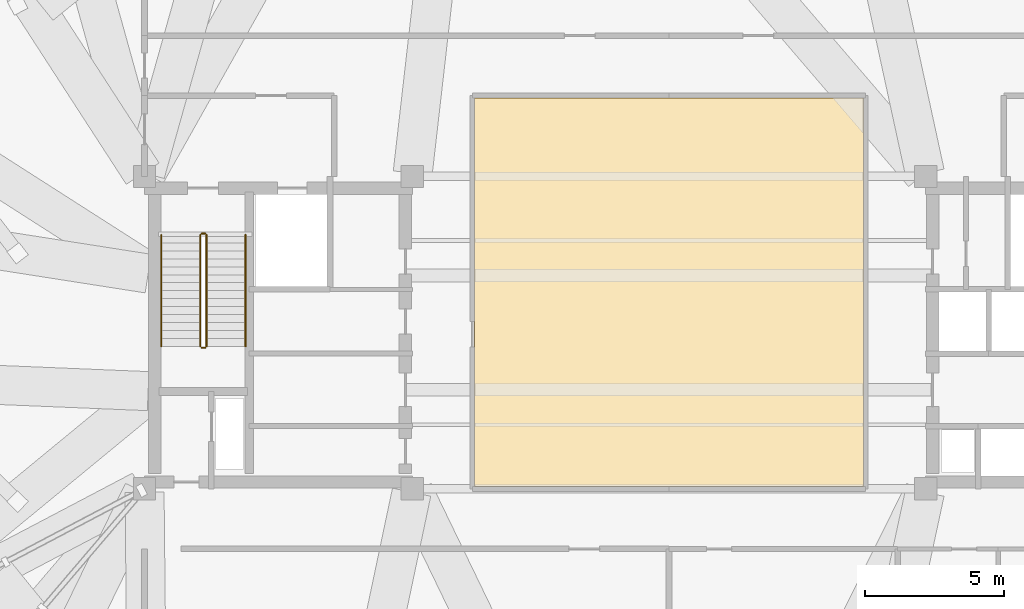
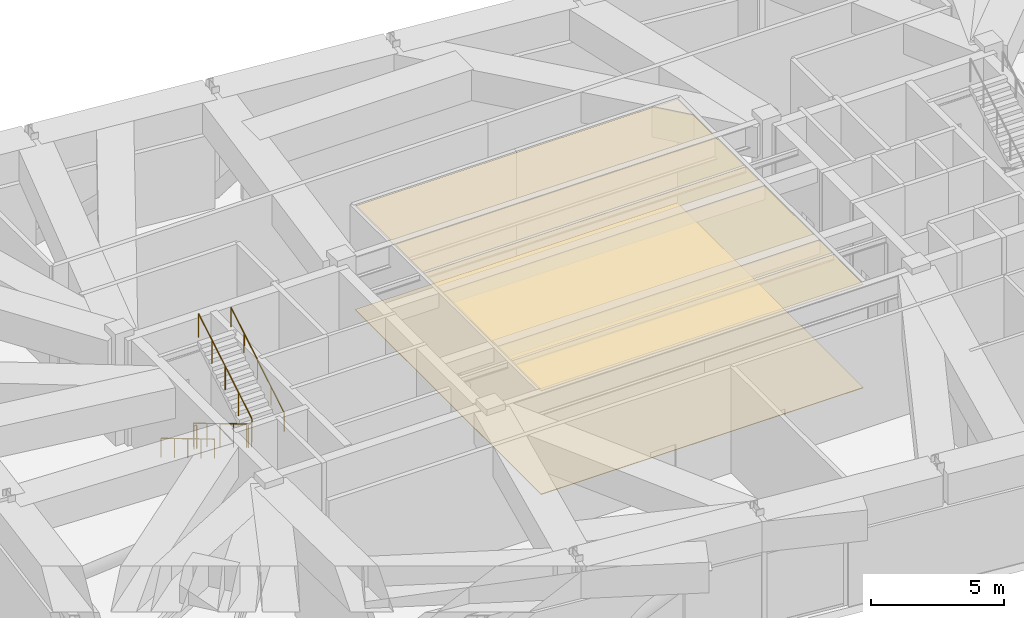
# One storey, part 20 of 21: 6 railings, 2 coverings.
"""IFC4 building model written with IfcOpenShell, lengths in metres."""

from ifc_helpers import new_model, si_unit, direction, frame, origin, origin_2d, place, context, subcontext, project, spatial, polyline, circle, outline, extrude, material, layer, layer_set, type_object, element, save


model = new_model("IFC4")

# Units and contexts
model_context = context("Model", 3, precision=1e-05, world=origin(), true_north=direction((0.0, 1.0)))
body_context = subcontext(model_context, "Body", "Model", "MODEL_VIEW")
ifc_project = project(units=[si_unit("LENGTHUNIT", "METRE"), si_unit("AREAUNIT", "SQUARE_METRE"), si_unit("VOLUMEUNIT", "CUBIC_METRE"), si_unit("PLANEANGLEUNIT", "RADIAN"), si_unit("MASSUNIT", "GRAM", prefix="KILO")], contexts=[model_context])

# Site, building, storey
site_placement = place(None, origin())
site = spatial("IfcSite", under=ifc_project, at=site_placement, CompositionType="ELEMENT")
building_placement = place(site_placement, origin())
building = spatial("IfcBuilding", under=site, at=building_placement, Name="Qobustan Lattice House", CompositionType="ELEMENT")
storey_placement = place(building_placement, frame((0.0, 0.0, 223.199951171875)))
storey = spatial("IfcBuildingStorey", under=building, at=storey_placement, Name="L63", CompositionType="ELEMENT", Elevation=223.199951171875)

# Coverings
ifc_material_1 = material(Name="Perforated gypsum acoustic ceiling", Category="gypsum")
ifc_layer_1 = layer(ifc_material_1, 0.030029296875)
ifc_layer_set_1 = layer_set([ifc_layer_1], Name="Perforated gypsum acoustic ceiling")
covering_type_1 = type_object("IfcCoveringType", Name="COV-ACOUSTIC-CEIL", PredefinedType="CEILING", material=ifc_layer_set_1)
covering_1_placement = place(storey_placement, frame((0.0, 0.0, 4.72998046875)))
element("IfcCovering", 1, at=covering_1_placement, inside=storey, type_object=covering_type_1, Name="L63 High-rise transfer sky lobby acoustic ceiling", PredefinedType="CEILING", context=body_context, shape_type="SweptSolid", body=[
    extrude(outline(polyline([(6.969970703125, -5.52001953125), (6.969970703125, 8.419921875), (-6.969970703125, 8.419921875), (-6.969970703125, -5.52001953125), (6.969970703125, -5.52001953125)])), origin(), (0.0, 0.0, 1.0), 0.030029296875),
])
ifc_material_2 = material(Name="Honed Absheron stone terrazzo flooring", Category="masonry")
ifc_layer_2 = layer(ifc_material_2, 0.02490234375)
ifc_layer_set_2 = layer_set([ifc_layer_2], Name="Honed Absheron stone terrazzo flooring")
covering_type_2 = type_object("IfcCoveringType", Name="COV-TERRAZZO-FLR", PredefinedType="FLOORING", material=ifc_layer_set_2)
covering_2_placement = place(storey_placement, origin())
element("IfcCovering", 2, at=covering_2_placement, inside=storey, type_object=covering_type_2, Name="L63 High-rise transfer sky lobby stone terrazzo flooring", PredefinedType="FLOORING", context=body_context, shape_type="SweptSolid", body=[
    extrude(outline(polyline([(6.969970703125, -5.52001953125), (6.969970703125, 8.419921875), (-6.969970703125, 8.419921875), (-6.969970703125, -5.52001953125), (6.969970703125, -5.52001953125)])), origin(), (0.0, 0.0, 1.0), 0.025146484375),
])

# Railings
ifc_material_3 = material(Name="Brushed stainless steel handrail", Category="steel")
railing_type_1 = type_object("IfcRailingType", Name="RAL-HR-920", PredefinedType="HANDRAIL", material=ifc_material_3)
railing_1_placement = place(storey_placement, frame((-18.199951171875, 3.5, 0.170166015625)))
element("IfcRailing", 3, at=railing_1_placement, inside=storey, type_object=railing_type_1, Name="L63 ST-W1 stair handrail 1", PredefinedType="HANDRAIL", context=body_context, shape_type="SweptSolid", body=[
    extrude(circle(Radius=0.02392578125, at=origin_2d()), frame((0.0, 0.0, 0.8759765625), z_axis=(0.0, -0.85883005064, 0.512260621284), x_axis=(1.0, 0.0, 0.0)), (0.0, 0.0, 1.0), 4.645751953125),
    extrude(circle(Radius=0.02099609375, at=origin_2d()), origin(), (0.0, 0.0, 1.0), 0.851806640625),
    extrude(circle(Radius=0.02099609375, at=origin_2d()), frame((0.0, -0.99755859375, 0.594970703125)), (0.0, 0.0, 1.0), 0.851806640625),
    extrude(circle(Radius=0.02099609375, at=origin_2d()), frame((0.0, -1.9951171875, 1.18994140625)), (0.0, 0.0, 1.0), 0.851806640625),
    extrude(circle(Radius=0.02099609375, at=origin_2d()), frame((0.0, -2.992431640625, 1.784912109375)), (0.0, 0.0, 1.0), 0.851806640625),
    extrude(circle(Radius=0.02099609375, at=origin_2d()), frame((0.0, -3.989990234375, 2.3798828125)), (0.0, 0.0, 1.0), 0.851806640625),
])
railing_2_placement = place(storey_placement, frame((-15.179931640625, -0.489990234375, 2.719970703125)))
element("IfcRailing", 4, at=railing_2_placement, inside=storey, type_object=railing_type_1, Name="L63 ST-W1 stair handrail 2", PredefinedType="HANDRAIL", context=body_context, shape_type="SweptSolid", body=[
    extrude(circle(Radius=0.02392578125, at=origin_2d()), frame((0.0, 0.0, 0.8759765625), z_axis=(0.0, 0.858806931142, 0.512299380267), x_axis=(-1.0, 0.0, 0.0)), (0.0, 0.0, 1.0), 4.64599609375),
    extrude(circle(Radius=0.02099609375, at=origin_2d()), origin(), (0.0, 0.0, 1.0), 0.851806640625),
    extrude(circle(Radius=0.02099609375, at=origin_2d()), frame((0.0, 0.99755859375, 0.594970703125)), (0.0, 0.0, 1.0), 0.851806640625),
    extrude(circle(Radius=0.02099609375, at=origin_2d()), frame((0.0, 1.9951171875, 1.18994140625)), (0.0, 0.0, 1.0), 0.851806640625),
    extrude(circle(Radius=0.02099609375, at=origin_2d()), frame((0.0, 2.992431640625, 1.78515625)), (0.0, 0.0, 1.0), 0.851806640625),
    extrude(circle(Radius=0.02099609375, at=origin_2d()), frame((0.0, 3.989990234375, 2.380126953125)), (0.0, 0.0, 1.0), 0.851806640625),
])
ifc_material_4 = material(Name="Painted galvanized steel guardrail", Category="steel")
railing_type_2 = type_object("IfcRailingType", Name="RAL-STG-1150", PredefinedType="GUARDRAIL", material=ifc_material_4)
railing_3_placement = place(storey_placement, frame((-16.800048828125, 3.5, 0.170166015625)))
element("IfcRailing", 5, at=railing_3_placement, inside=storey, type_object=railing_type_2, Name="L63 ST-W1 stair guard 1", PredefinedType="GUARDRAIL", context=body_context, shape_type="SweptSolid", body=[
    extrude(circle(Radius=0.02392578125, at=origin_2d()), frame((0.0, 0.0, 1.076171875), z_axis=(0.0, -0.85883005064, 0.512260621284), x_axis=(1.0, 0.0, 0.0)), (0.0, 0.0, 1.0), 4.645751953125),
    extrude(circle(Radius=0.02099609375, at=origin_2d()), origin(), (0.0, 0.0, 1.0), 1.052001953125),
    extrude(circle(Radius=0.02099609375, at=origin_2d()), frame((0.0, -0.99755859375, 0.594970703125)), (0.0, 0.0, 1.0), 1.052001953125),
    extrude(circle(Radius=0.02099609375, at=origin_2d()), frame((0.0, -1.9951171875, 1.18994140625)), (0.0, 0.0, 1.0), 1.052001953125),
    extrude(circle(Radius=0.02099609375, at=origin_2d()), frame((0.0, -2.992431640625, 1.784912109375)), (0.0, 0.0, 1.0), 1.052001953125),
    extrude(circle(Radius=0.02099609375, at=origin_2d()), frame((0.0, -3.989990234375, 2.3798828125)), (0.0, 0.0, 1.0), 1.052001953125),
])
railing_4_placement = place(storey_placement, frame((-16.75, -0.5400390625, 2.550048828125)))
element("IfcRailing", 6, at=railing_4_placement, inside=storey, type_object=railing_type_2, Name="L63 ST-W1 stair guard 2", PredefinedType="GUARDRAIL", context=body_context, shape_type="SweptSolid", body=[
    extrude(circle(Radius=0.02392578125, at=origin_2d()), frame((0.0, 0.0, 1.076171875), z_axis=(1.0, 0.0, 0.0), x_axis=(0.0, 1.0, 0.0)), (0.0, 0.0, 1.0), 0.1201171875),
    extrude(circle(Radius=0.02099609375, at=origin_2d()), origin(), (0.0, 0.0, 1.0), 1.052001953125),
    extrude(circle(Radius=0.02099609375, at=origin_2d()), frame((0.1201171875, 0.0, 0.0)), (0.0, 0.0, 1.0), 1.052001953125),
])
railing_5_placement = place(storey_placement, frame((-16.580078125, -0.489990234375, 2.719970703125)))
element("IfcRailing", 7, at=railing_5_placement, inside=storey, type_object=railing_type_2, Name="L63 ST-W1 stair guard 3", PredefinedType="GUARDRAIL", context=body_context, shape_type="SweptSolid", body=[
    extrude(circle(Radius=0.02392578125, at=origin_2d()), frame((0.0, 0.0, 1.076171875), z_axis=(0.0, 0.858806931142, 0.512299380267), x_axis=(-1.0, 0.0, 0.0)), (0.0, 0.0, 1.0), 4.64599609375),
    extrude(circle(Radius=0.02099609375, at=origin_2d()), origin(), (0.0, 0.0, 1.0), 1.052001953125),
    extrude(circle(Radius=0.02099609375, at=origin_2d()), frame((0.0, 0.99755859375, 0.594970703125)), (0.0, 0.0, 1.0), 1.052001953125),
    extrude(circle(Radius=0.02099609375, at=origin_2d()), frame((0.0, 1.9951171875, 1.18994140625)), (0.0, 0.0, 1.0), 1.052001953125),
    extrude(circle(Radius=0.02099609375, at=origin_2d()), frame((0.0, 2.992431640625, 1.78515625)), (0.0, 0.0, 1.0), 1.052001953125),
    extrude(circle(Radius=0.02099609375, at=origin_2d()), frame((0.0, 3.989990234375, 2.380126953125)), (0.0, 0.0, 1.0), 1.052001953125),
])
railing_6_placement = place(storey_placement, frame((-16.75, 3.550048828125, 0.0)))
element("IfcRailing", 8, at=railing_6_placement, inside=storey, type_object=railing_type_2, Name="L63 ST-W1 stair guard 4", PredefinedType="GUARDRAIL", context=body_context, shape_type="SweptSolid", body=[
    extrude(circle(Radius=0.02392578125, at=origin_2d()), frame((0.0, 0.0, 1.076171875), z_axis=(1.0, 0.0, 0.0), x_axis=(0.0, 1.0, 0.0)), (0.0, 0.0, 1.0), 0.1201171875),
    extrude(circle(Radius=0.02099609375, at=origin_2d()), origin(), (0.0, 0.0, 1.0), 1.052001953125),
    extrude(circle(Radius=0.02099609375, at=origin_2d()), frame((0.1201171875, 0.0, 0.0)), (0.0, 0.0, 1.0), 1.052001953125),
])

save(model, "model.ifc")
